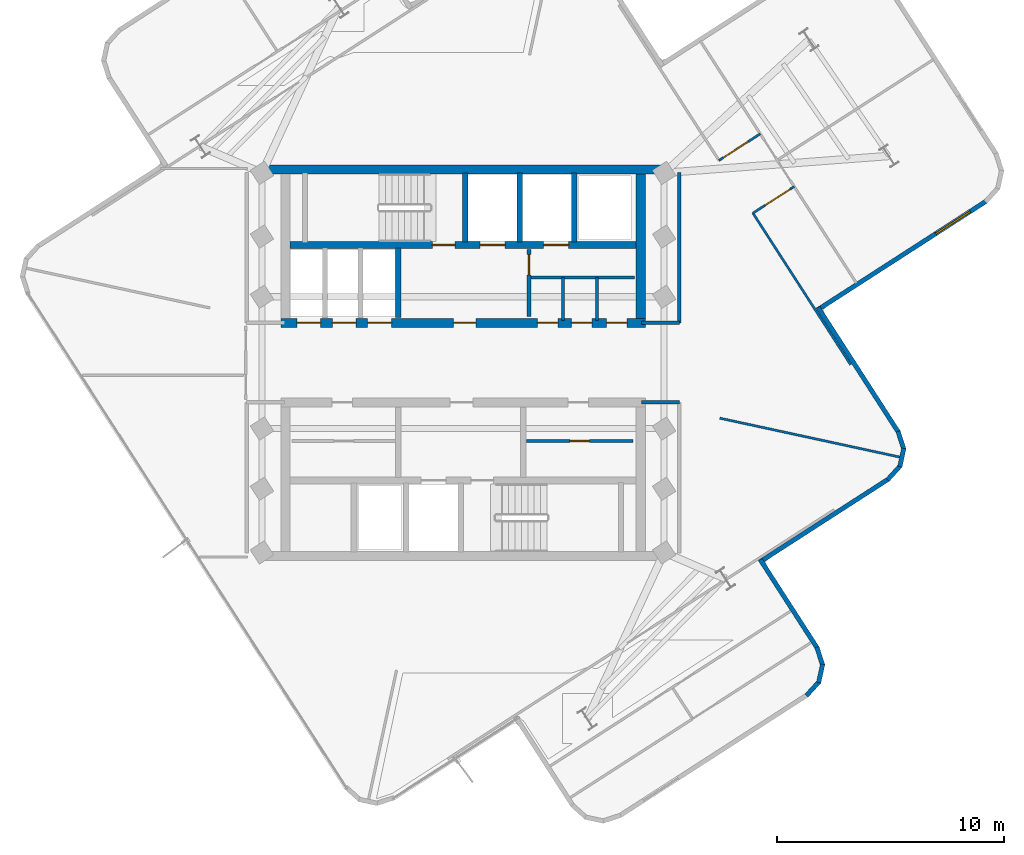
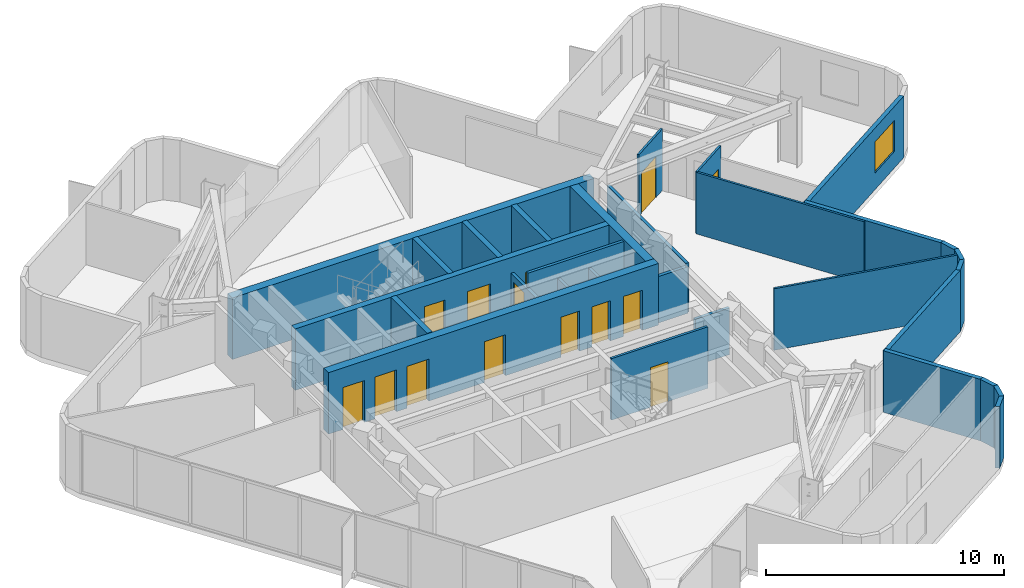
# One storey, part 6 of 9: 30 walls, 14 doors, 1 window, 15 openings.
"""IFC4 building model written with IfcOpenShell, lengths in metres."""

from ifc_helpers import new_model, si_unit, direction, frame, frame_2d, origin, place, context, subcontext, project, spatial, rectangle, extrude, material, layer, layer_set, type_object, element, fill, save


model = new_model("IFC4")

# Units and contexts
model_context = context("Model", 3, precision=1e-05, world=origin(), true_north=direction((0.0, 1.0)))
body_context = subcontext(model_context, "Body", "Model", "MODEL_VIEW")
ifc_project = project(units=[si_unit("LENGTHUNIT", "METRE"), si_unit("AREAUNIT", "SQUARE_METRE"), si_unit("VOLUMEUNIT", "CUBIC_METRE"), si_unit("PLANEANGLEUNIT", "RADIAN"), si_unit("MASSUNIT", "GRAM", prefix="KILO")], contexts=[model_context])

# Site, building, storey
site_placement = place(None, origin())
site = spatial("IfcSite", under=ifc_project, at=site_placement, CompositionType="ELEMENT")
building_placement = place(site_placement, origin())
building = spatial("IfcBuilding", under=site, at=building_placement, Name="Solmarez Civic Tower", CompositionType="ELEMENT")
storey_placement = place(building_placement, frame((0.0, 0.0, 215.4599609375)))
storey = spatial("IfcBuildingStorey", under=building, at=storey_placement, Name="L57", CompositionType="ELEMENT", Elevation=215.4599609375)

# Wall
ifc_material_1 = material(Name="Concrete C50/60", Category="concrete")
ifc_layer_1 = layer(ifc_material_1, 0.39990234375)
ifc_layer_set_1 = layer_set([ifc_layer_1], Name="Concrete C50/60")
wall_type_1 = type_object("IfcWallType", Name="WALL-CORE-400", PredefinedType="SHEAR", material=ifc_layer_set_1)
wall_1_placement = place(storey_placement, frame((-8.780029296875, 8.510009765625, 0.0), z_axis=(0.0, 0.0, 1.0), x_axis=(1.0, 0.0, 0.0)))
element("IfcWall", 1, at=wall_1_placement, inside=storey, type_object=wall_type_1, Name="L57 Split-Core Structural Wall NCW-N-L57", PredefinedType="SHEAR", context=body_context, shape_type="SweptSolid", body=[
    extrude(rectangle(XDim=17.56005859375, YDim=0.39990234375, at=frame_2d((8.780029296875, 0.0))), origin(), (0.0, 0.0, 1.0), 3.16015625),
])

# Wall, openings, doors
wall_2_placement = place(storey_placement, frame((8.02001953125, 1.75, 0.0), z_axis=(0.0, 0.0, 1.0), x_axis=(-1.0, 0.0, 0.0)))
wall_2 = element("IfcWall", 2, at=wall_2_placement, inside=storey, type_object=wall_type_1, Name="L57 Split-Core Structural Wall NCW-S-L57", PredefinedType="SHEAR", context=body_context, shape_type="SweptSolid", body=[
    extrude(rectangle(XDim=16.0400390625, YDim=0.39990234375, at=frame_2d((8.02001953125, 0.0))), origin(), (0.0, 0.0, 1.0), 3.16015625),
])
opening_1_placement = place(wall_2_placement, frame((7.449951171875, 0.0, 0.0)))
opening_1 = element("IfcOpeningElement", 3, at=opening_1_placement, cuts=wall_2, Name="Opening D-04", PredefinedType="OPENING", context=body_context, shape_type="SweptSolid", body=[
    extrude(rectangle(XDim=1.0, YDim=2.10009765625, at=frame_2d((0.5, 1.050048828125))), frame((0.0, 0.2099609375, 0.0), z_axis=(0.0, -1.0, 0.0), x_axis=(1.0, 0.0, 0.0)), (0.0, 0.0, 1.0), 0.419921875),
])
opening_2_placement = place(wall_2_placement, frame((14.284912109375, 0.0, 0.0)))
opening_2 = element("IfcOpeningElement", 4, at=opening_2_placement, cuts=wall_2, Name="Opening LD-01", PredefinedType="OPENING", context=body_context, shape_type="SweptSolid", body=[
    extrude(rectangle(XDim=1.050048828125, YDim=2.14990234375, at=frame_2d((0.52490234375, 1.074951171875))), frame((0.0, 0.2099609375, 0.0), z_axis=(0.0, -1.0, 0.0), x_axis=(1.0, 0.0, 0.0)), (0.0, 0.0, 1.0), 0.419921875),
])
opening_3_placement = place(wall_2_placement, frame((12.72509765625, 0.0, 0.0)))
opening_3 = element("IfcOpeningElement", 5, at=opening_3_placement, cuts=wall_2, Name="Opening LD-01", PredefinedType="OPENING", context=body_context, shape_type="SweptSolid", body=[
    extrude(rectangle(XDim=1.050048828125, YDim=2.14990234375, at=frame_2d((0.52490234375, 1.074951171875))), frame((0.0, 0.2099609375, 0.0), z_axis=(0.0, -1.0, 0.0), x_axis=(1.0, 0.0, 0.0)), (0.0, 0.0, 1.0), 0.419921875),
])
opening_4_placement = place(wall_2_placement, frame((11.1650390625, 0.0, 0.0)))
opening_4 = element("IfcOpeningElement", 6, at=opening_4_placement, cuts=wall_2, Name="Opening LD-01", PredefinedType="OPENING", context=body_context, shape_type="SweptSolid", body=[
    extrude(rectangle(XDim=1.050048828125, YDim=2.14990234375, at=frame_2d((0.52490234375, 1.074951171875))), frame((0.0, 0.2099609375, 0.0), z_axis=(0.0, -1.0, 0.0), x_axis=(1.0, 0.0, 0.0)), (0.0, 0.0, 1.0), 0.419921875),
])
opening_5_placement = place(wall_2_placement, frame((3.85009765625, 0.0, 0.0)))
opening_5 = element("IfcOpeningElement", 7, at=opening_5_placement, cuts=wall_2, Name="Opening D-09", PredefinedType="OPENING", context=body_context, shape_type="SweptSolid", body=[
    extrude(rectangle(XDim=0.89990234375, YDim=2.06005859375, at=frame_2d((0.449951171875, 1.030029296875))), frame((0.0, 0.2099609375, 0.0), z_axis=(0.0, -1.0, 0.0), x_axis=(1.0, 0.0, 0.0)), (0.0, 0.0, 1.0), 0.419921875),
])
opening_6_placement = place(wall_2_placement, frame((2.35009765625, 0.0, 0.0)))
opening_6 = element("IfcOpeningElement", 8, at=opening_6_placement, cuts=wall_2, Name="Opening D-09", PredefinedType="OPENING", context=body_context, shape_type="SweptSolid", body=[
    extrude(rectangle(XDim=0.89990234375, YDim=2.06005859375, at=frame_2d((0.449951171875, 1.030029296875))), frame((0.0, 0.2099609375, 0.0), z_axis=(0.0, -1.0, 0.0), x_axis=(1.0, 0.0, 0.0)), (0.0, 0.0, 1.0), 0.419921875),
])
opening_7_placement = place(wall_2_placement, frame((0.800048828125, 0.0, 0.0)))
opening_7 = element("IfcOpeningElement", 9, at=opening_7_placement, cuts=wall_2, Name="Opening D-09", PredefinedType="OPENING", context=body_context, shape_type="SweptSolid", body=[
    extrude(rectangle(XDim=0.89990234375, YDim=2.06005859375, at=frame_2d((0.449951171875, 1.030029296875))), frame((0.0, 0.2099609375, 0.0), z_axis=(0.0, -1.0, 0.0), x_axis=(1.0, 0.0, 0.0)), (0.0, 0.0, 1.0), 0.419921875),
])
ifc_material_2 = material(Name="Steel-Faced Acoustic Fire Door", Category="steel")
door_type_1 = type_object("IfcDoorType", Name="DOOR-FD60-1000", OperationType="NOTDEFINED", PredefinedType="DOOR", material=ifc_material_2)
door_1_placement = place(opening_1_placement, origin())
door_1 = element("IfcDoor", 10, at=door_1_placement, inside=storey, type_object=door_type_1, Name="L57 North Firefighting Lobby Door", OperationType="SINGLE_SWING_RIGHT", OverallHeight=2.10009765625, OverallWidth=1.0, PredefinedType="DOOR", context=body_context, shape_type="SweptSolid", body=[
    extrude(rectangle(XDim=1.0, YDim=2.10009765625, at=frame_2d((0.5, 1.050048828125))), frame((0.0, 0.02490234375, 0.0), z_axis=(0.0, -1.0, 0.0), x_axis=(1.0, 0.0, 0.0)), (0.0, 0.0, 1.0), 0.050048828125),
])
fill(opening_1, door_1)
ifc_material_3 = material(Name="Fire-Rated Service Core Door", Category="wood")
door_type_2 = type_object("IfcDoorType", Name="DOOR-FD60-900", OperationType="NOTDEFINED", PredefinedType="DOOR", material=ifc_material_3)
door_2_placement = place(opening_5_placement, origin())
door_2 = element("IfcDoor", 11, at=door_2_placement, inside=storey, type_object=door_type_2, Name="L57 Core WC Door", OperationType="SINGLE_SWING_RIGHT", OverallHeight=2.06005859375, OverallWidth=0.89990234375, PredefinedType="DOOR", context=body_context, shape_type="SweptSolid", body=[
    extrude(rectangle(XDim=0.89990234375, YDim=2.06005859375, at=frame_2d((0.449951171875, 1.030029296875))), frame((0.0, 0.02490234375, 0.0), z_axis=(0.0, -1.0, 0.0), x_axis=(1.0, 0.0, 0.0)), (0.0, 0.0, 1.0), 0.050048828125),
])
fill(opening_5, door_2)
door_3_placement = place(opening_6_placement, origin())
door_3 = element("IfcDoor", 12, at=door_3_placement, inside=storey, type_object=door_type_2, Name="L57 Core CL Door", OperationType="SINGLE_SWING_LEFT", OverallHeight=2.06005859375, OverallWidth=0.89990234375, PredefinedType="DOOR", context=body_context, shape_type="SweptSolid", body=[
    extrude(rectangle(XDim=0.89990234375, YDim=2.06005859375, at=frame_2d((0.449951171875, 1.030029296875))), frame((0.0, 0.02490234375, 0.0), z_axis=(0.0, -1.0, 0.0), x_axis=(1.0, 0.0, 0.0)), (0.0, 0.0, 1.0), 0.050048828125),
])
fill(opening_6, door_3)
door_4_placement = place(opening_7_placement, origin())
door_4 = element("IfcDoor", 13, at=door_4_placement, inside=storey, type_object=door_type_2, Name="L57 Core IT Door", OperationType="SINGLE_SWING_LEFT", OverallHeight=2.06005859375, OverallWidth=0.89990234375, PredefinedType="DOOR", context=body_context, shape_type="SweptSolid", body=[
    extrude(rectangle(XDim=0.89990234375, YDim=2.06005859375, at=frame_2d((0.449951171875, 1.030029296875))), frame((0.0, 0.02490234375, 0.0), z_axis=(0.0, -1.0, 0.0), x_axis=(1.0, 0.0, 0.0)), (0.0, 0.0, 1.0), 0.050048828125),
])
fill(opening_7, door_4)
ifc_material_4 = material(Name="Bronze Passenger Lift Landing Sliding Door", Category="aluminium")
door_type_3 = type_object("IfcDoorType", Name="DOOR-LD-PAX-1050", OperationType="DOUBLE_DOOR_SLIDING", PredefinedType="DOOR", material=ifc_material_4)
door_5_placement = place(opening_2_placement, origin())
door_5 = element("IfcDoor", 14, at=door_5_placement, inside=storey, type_object=door_type_3, Name="L57 High-Rise Lift Landing Door PL-H1", OperationType="DOUBLE_DOOR_SLIDING", OverallHeight=2.14990234375, OverallWidth=1.050048828125, PredefinedType="DOOR", context=body_context, shape_type="SweptSolid", body=[
    extrude(rectangle(XDim=1.050048828125, YDim=2.14990234375, at=frame_2d((0.52490234375, 1.074951171875))), frame((0.0, 0.02490234375, 0.0), z_axis=(0.0, -1.0, 0.0), x_axis=(1.0, 0.0, 0.0)), (0.0, 0.0, 1.0), 0.050048828125),
])
fill(opening_2, door_5)
door_6_placement = place(opening_3_placement, origin())
door_6 = element("IfcDoor", 15, at=door_6_placement, inside=storey, type_object=door_type_3, Name="L57 High-Rise Lift Landing Door PL-H2", OperationType="DOUBLE_DOOR_SLIDING", OverallHeight=2.14990234375, OverallWidth=1.050048828125, PredefinedType="DOOR", context=body_context, shape_type="SweptSolid", body=[
    extrude(rectangle(XDim=1.050048828125, YDim=2.14990234375, at=frame_2d((0.52490234375, 1.074951171875))), frame((0.0, 0.02490234375, 0.0), z_axis=(0.0, -1.0, 0.0), x_axis=(1.0, 0.0, 0.0)), (0.0, 0.0, 1.0), 0.050048828125),
])
fill(opening_3, door_6)
door_7_placement = place(opening_4_placement, origin())
door_7 = element("IfcDoor", 16, at=door_7_placement, inside=storey, type_object=door_type_3, Name="L57 High-Rise Lift Landing Door PL-H3", OperationType="DOUBLE_DOOR_SLIDING", OverallHeight=2.14990234375, OverallWidth=1.050048828125, PredefinedType="DOOR", context=body_context, shape_type="SweptSolid", body=[
    extrude(rectangle(XDim=1.050048828125, YDim=2.14990234375, at=frame_2d((0.52490234375, 1.074951171875))), frame((0.0, 0.02490234375, 0.0), z_axis=(0.0, -1.0, 0.0), x_axis=(1.0, 0.0, 0.0)), (0.0, 0.0, 1.0), 0.050048828125),
])
fill(opening_4, door_7)

# Wall
wall_3_placement = place(storey_placement, frame((7.820068359375, 8.31005859375, 0.0), z_axis=(0.0, 0.0, 1.0), x_axis=(0.0, -1.0, 0.0)))
element("IfcWall", 17, at=wall_3_placement, inside=storey, type_object=wall_type_1, Name="L57 Split-Core Structural Wall NCW-E-L57", PredefinedType="SHEAR", context=body_context, shape_type="SweptSolid", body=[
    extrude(rectangle(XDim=6.360107421875, YDim=0.39990234375, at=frame_2d((3.18017578125, 0.0))), origin(), (0.0, 0.0, 1.0), 3.16015625),
])

# Wall, opening, window
ifc_material_5 = material(Name="Precast concrete C40/50", Category="concrete")
ifc_layer_2 = layer(ifc_material_5, 0.199951171875)
ifc_layer_set_2 = layer_set([ifc_layer_2], Name="Precast concrete C40/50")
wall_type_2 = type_object("IfcWallType", Name="WALL-EXT-200", PredefinedType="SOLIDWALL", material=ifc_layer_set_2)
wall_4_placement = place(storey_placement, frame((23.031982421875, 7.111083984375, 0.0), z_axis=(0.0, 0.0, 1.0), x_axis=(-0.840540020681, -0.541749456515, 0.0)))
wall_4 = element("IfcWall", 18, at=wall_4_placement, inside=storey, type_object=wall_type_2, Name="L57 Exterior Precast Wall 39", PredefinedType="SOLIDWALL", context=body_context, shape_type="SweptSolid", body=[
    extrude(rectangle(XDim=8.841796875, YDim=0.199951171875, at=frame_2d((4.4208984375, 0.0))), origin(), (0.0, 0.0, 1.0), 3.16015625),
])
opening_8_placement = place(wall_4_placement, frame((0.85009765625, 0.0, 0.85009765625)))
opening_8 = element("IfcOpeningElement", 19, at=opening_8_placement, cuts=wall_4, Name="Opening W-12", PredefinedType="OPENING", context=body_context, shape_type="SweptSolid", body=[
    extrude(rectangle(XDim=1.800048828125, YDim=1.60009765625, at=frame_2d((0.89990234375, 0.800048828125))), frame((0.0, 0.10986328125, 0.0), z_axis=(0.0, -1.0, 0.0), x_axis=(1.0, 0.0, 0.0)), (0.0, 0.0, 1.0), 0.219970703125),
])
ifc_material_6 = material(Name="Solar Control Bronze-Tinted Insulating Glass", Category="glass")
window_type = type_object("IfcWindowType", Name="WIN-1800X1600", PartitioningType="SINGLE_PANEL", PredefinedType="WINDOW", material=ifc_material_6)
window_placement = place(opening_8_placement, origin())
window = element("IfcWindow", 20, at=window_placement, inside=storey, type_object=window_type, Name="L57 Exterior Facade Window 39", OverallHeight=1.60009765625, OverallWidth=1.800048828125, PartitioningType="SINGLE_PANEL", PredefinedType="WINDOW", context=body_context, shape_type="SweptSolid", body=[
    extrude(rectangle(XDim=1.800048828125, YDim=1.60009765625, at=frame_2d((0.89990234375, 0.800048828125))), frame((0.0, 0.030029296875, 0.0), z_axis=(0.0, -1.0, 0.0), x_axis=(1.0, 0.0, 0.0)), (0.0, 0.0, 1.0), 0.06005859375),
])
fill(opening_8, window)

# Walls
wall_5_placement = place(storey_placement, frame((15.6240234375, 2.430908203125, 0.0), z_axis=(0.0, 0.0, 1.0), x_axis=(0.541715396451, -0.840561972283, 0.0)))
element("IfcWall", 21, at=wall_5_placement, inside=storey, type_object=wall_type_2, Name="L57 Exterior Precast Wall 42", PredefinedType="SOLIDWALL", context=body_context, shape_type="SweptSolid", body=[
    extrude(rectangle(XDim=6.5419921875, YDim=0.199951171875, at=frame_2d((3.27099609375, 0.0))), origin(), (0.0, 0.0, 1.0), 3.16015625),
])
wall_6_placement = place(storey_placement, frame((19.14599609375, -3.02294921875, 0.0), z_axis=(0.0, 0.0, 1.0), x_axis=(0.306602907463, -0.951837516142, 0.0)))
element("IfcWall", 22, at=wall_6_placement, inside=storey, type_object=wall_type_2, Name="L57 Exterior Precast Wall 43", PredefinedType="SOLIDWALL", context=body_context, shape_type="SweptSolid", body=[
    extrude(rectangle(XDim=0.83837890625, YDim=0.199951171875, at=frame_2d((0.419189453125, 0.0))), origin(), (0.0, 0.0, 1.0), 3.16015625),
])
wall_7_placement = place(storey_placement, frame((19.39990234375, -3.77294921875, 0.0), z_axis=(0.0, 0.0, 1.0), x_axis=(-0.211087829535, -0.977467098281, 0.0)))
element("IfcWall", 23, at=wall_7_placement, inside=storey, type_object=wall_type_2, Name="L57 Exterior Precast Wall 44", PredefinedType="SOLIDWALL", context=body_context, shape_type="SweptSolid", body=[
    extrude(rectangle(XDim=0.823486328125, YDim=0.199951171875, at=frame_2d((0.41162109375, 0.0))), origin(), (0.0, 0.0, 1.0), 3.16015625),
])
wall_8_placement = place(storey_placement, frame((19.248046875, -4.534912109375, 0.0), z_axis=(0.0, 0.0, 1.0), x_axis=(-0.671019988703, -0.741439258983, 0.0)))
element("IfcWall", 24, at=wall_8_placement, inside=storey, type_object=wall_type_2, Name="L57 Exterior Precast Wall 45", PredefinedType="SOLIDWALL", context=body_context, shape_type="SweptSolid", body=[
    extrude(rectangle(XDim=0.839111328125, YDim=0.199951171875, at=frame_2d((0.41943359375, 0.0))), origin(), (0.0, 0.0, 1.0), 3.16015625),
])
wall_9_placement = place(storey_placement, frame((18.722900390625, -5.1240234375, 0.0), z_axis=(0.0, 0.0, 1.0), x_axis=(-0.840584959151, -0.541679726821, 0.0)))
element("IfcWall", 25, at=wall_9_placement, inside=storey, type_object=wall_type_2, Name="L57 Exterior Precast Wall 46", PredefinedType="SOLIDWALL", context=body_context, shape_type="SweptSolid", body=[
    extrude(rectangle(XDim=6.74169921875, YDim=0.199951171875, at=frame_2d((3.370849609375, 0.0))), origin(), (0.0, 0.0, 1.0), 3.16015625),
])
wall_10_placement = place(storey_placement, frame((13.080078125, -8.666015625, 0.0), z_axis=(0.0, 0.0, 1.0), x_axis=(0.541732711374, -0.840550813114, 0.0)))
element("IfcWall", 26, at=wall_10_placement, inside=storey, type_object=wall_type_2, Name="L57 Exterior Precast Wall 49", PredefinedType="SOLIDWALL", context=body_context, shape_type="SweptSolid", body=[
    extrude(rectangle(XDim=4.642333984375, YDim=0.199951171875, at=frame_2d((2.3212890625, 0.0))), origin(), (0.0, 0.0, 1.0), 3.16015625),
])
wall_11_placement = place(storey_placement, frame((15.572998046875, -12.52294921875, 0.0), z_axis=(0.0, 0.0, 1.0), x_axis=(0.306602907463, -0.951837516142, 0.0)))
element("IfcWall", 27, at=wall_11_placement, inside=storey, type_object=wall_type_2, Name="L57 Exterior Precast Wall 50", PredefinedType="SOLIDWALL", context=body_context, shape_type="SweptSolid", body=[
    extrude(rectangle(XDim=0.83837890625, YDim=0.199951171875, at=frame_2d((0.419189453125, 0.0))), origin(), (0.0, 0.0, 1.0), 3.16015625),
])
wall_12_placement = place(storey_placement, frame((15.826904296875, -13.27294921875, 0.0), z_axis=(0.0, 0.0, 1.0), x_axis=(-0.210782404691, -0.977533006027, 0.0)))
element("IfcWall", 28, at=wall_12_placement, inside=storey, type_object=wall_type_2, Name="L57 Exterior Precast Wall 51", PredefinedType="SOLIDWALL", context=body_context, shape_type="SweptSolid", body=[
    extrude(rectangle(XDim=0.82470703125, YDim=0.199951171875, at=frame_2d((0.412353515625, 0.0))), origin(), (0.0, 0.0, 1.0), 3.16015625),
])
wall_13_placement = place(storey_placement, frame((15.675048828125, -14.035888671875, 0.0), z_axis=(0.0, 0.0, 1.0), x_axis=(-0.671019988703, -0.741439258983, 0.0)))
element("IfcWall", 29, at=wall_13_placement, inside=storey, type_object=wall_type_2, Name="L57 Exterior Precast Wall 52", PredefinedType="SOLIDWALL", context=body_context, shape_type="SweptSolid", body=[
    extrude(rectangle(XDim=0.839111328125, YDim=0.199951171875, at=frame_2d((0.41943359375, 0.0))), origin(), (0.0, 0.0, 1.0), 3.16015625),
])
ifc_material_7 = material(Name="Gypsum Board Acoustic Steel-Stud Partition", Category="steel")
ifc_layer_3 = layer(ifc_material_7, 0.14990234375)
ifc_layer_set_3 = layer_set([ifc_layer_3], Name="Gypsum Board Acoustic Steel-Stud Partition")
wall_type_3 = type_object("IfcWallType", Name="WALL-INT-FIRE-150", PredefinedType="PARTITIONING", material=ifc_layer_set_3)
wall_14_placement = place(storey_placement, frame((9.52001953125, 1.75, 0.0), z_axis=(0.0, 0.0, 1.0), x_axis=(0.0, 1.0, 0.0)))
element("IfcWall", 30, at=wall_14_placement, inside=storey, type_object=wall_type_3, Name="L57 Interior Partition CHW-L57-EN1", PredefinedType="PARTITIONING", context=body_context, shape_type="SweptSolid", body=[
    extrude(rectangle(XDim=6.6298828125, YDim=0.14990234375, at=frame_2d((3.31494140625, 0.0))), origin(), (0.0, 0.0, 1.0), 2.530029296875),
])
for number, where, z_axis, x_axis, name in (
    (31, (7.85009765625, 1.75, 0.0), (0.0, 0.0, 1.0), (1.0, 0.0, 0.0), "L57 Interior Partition CHW-L57-EN3"),
    (32, (7.85009765625, -1.75, 0.0), (0.0, 0.0, 1.0), (1.0, 0.0, 0.0), "L57 Interior Partition CHW-L57-ES3"),
):
    element("IfcWall", number, at=place(storey_placement, frame(where, z_axis=z_axis, x_axis=x_axis)), inside=storey, type_object=wall_type_3, Name=name, PredefinedType="PARTITIONING", context=body_context, shape_type="SweptSolid", body=[
        extrude(rectangle(XDim=1.669921875, YDim=0.14990234375, at=frame_2d((0.8349609375, 0.0))), origin(), (0.0, 0.0, 1.0), 2.39013671875),
    ])
ifc_layer_4 = layer(ifc_material_7, 0.10009765625)
ifc_layer_set_4 = layer_set([ifc_layer_4], Name="Gypsum Board Acoustic Steel-Stud Partition")
wall_type_4 = type_object("IfcWallType", Name="WALL-INT-PART-100", PredefinedType="PARTITIONING", material=ifc_layer_set_4)
wall_15_placement = place(storey_placement, frame((11.300048828125, -2.443115234375, 0.0), z_axis=(0.0, 0.0, 1.0), x_axis=(0.977411986974, -0.211342867681, 0.0)))
element("IfcWall", 33, at=wall_15_placement, inside=storey, type_object=wall_type_4, Name="L57 Interior Partition PT-L57-QDIV-4", PredefinedType="PARTITIONING", context=body_context, shape_type="SweptSolid", body=[
    extrude(rectangle(XDim=8.1337890625, YDim=0.10009765625, at=frame_2d((4.06689453125, 0.0))), origin(), (0.0, 0.0, 1.0), 3.16015625),
])
wall_16_placement = place(storey_placement, frame((17.06005859375, -0.093017578125, 0.0), z_axis=(0.0, 0.0, 1.0), x_axis=(-0.541691689426, 0.840577250232, 0.0)))
element("IfcWall", 34, at=wall_16_placement, inside=storey, type_object=wall_type_4, Name="L57 Interior Partition PT-L57-E-EFR", PredefinedType="PARTITIONING", context=body_context, shape_type="SweptSolid", body=[
    extrude(rectangle(XDim=7.949462890625, YDim=0.10009765625, at=frame_2d((3.974609375, 0.0))), origin(), (0.0, 0.0, 1.0), 3.16015625),
])

# Wall, opening, door
wall_17_placement = place(storey_placement, frame((13.080078125, 10.071044921875, 0.0), z_axis=(0.0, 0.0, 1.0), x_axis=(-0.840623628822, -0.541619714067, 0.0)))
wall_17 = element("IfcWall", 35, at=wall_17_placement, inside=storey, type_object=wall_type_4, Name="L57 Interior Partition PT-L57-E-SL", PredefinedType="PARTITIONING", context=body_context, shape_type="SweptSolid", body=[
    extrude(rectangle(XDim=2.160400390625, YDim=0.10009765625, at=frame_2d((1.080078125, 0.0))), origin(), (0.0, 0.0, 1.0), 3.16015625),
])
opening_9_placement = place(wall_17_placement, frame((0.6298828125, 0.0, 0.0)))
opening_9 = element("IfcOpeningElement", 36, at=opening_9_placement, cuts=wall_17, Name="Opening D-15", PredefinedType="OPENING", context=body_context, shape_type="SweptSolid", body=[
    extrude(rectangle(XDim=1.300048828125, YDim=2.10009765625, at=frame_2d((0.64990234375, 1.050048828125))), frame((0.0, 0.06005859375, 0.0), z_axis=(0.0, -1.0, 0.0), x_axis=(1.0, 0.0, 0.0)), (0.0, 0.0, 1.0), 0.1201171875),
])
ifc_material_8 = material(Name="Tribunal Hearing Conference Door", Category="wood")
door_type_4 = type_object("IfcDoorType", Name="DOOR-INT-1300", OperationType="NOTDEFINED", PredefinedType="DOOR", material=ifc_material_8)
door_8_placement = place(opening_9_placement, origin())
door_8 = element("IfcDoor", 37, at=door_8_placement, inside=storey, type_object=door_type_4, Name="L57 Legislative Seminar Room East Door", OperationType="SINGLE_SWING_LEFT", OverallHeight=2.10009765625, OverallWidth=1.300048828125, PredefinedType="DOOR", context=body_context, shape_type="SweptSolid", body=[
    extrude(rectangle(XDim=1.300048828125, YDim=2.10009765625, at=frame_2d((0.64990234375, 1.050048828125))), frame((0.0, 0.02490234375, 0.0), z_axis=(0.0, -1.0, 0.0), x_axis=(1.0, 0.0, 0.0)), (0.0, 0.0, 1.0), 0.050048828125),
])
fill(opening_9, door_8)

wall_18_placement = place(storey_placement, frame((12.759033203125, 6.5810546875, 0.0), z_axis=(0.0, 0.0, 1.0), x_axis=(0.840641931508, 0.541591306236, 0.0)))
wall_18 = element("IfcWall", 38, at=wall_18_placement, inside=storey, type_object=wall_type_4, Name="L57 Interior Partition PT-L57-E-SR", PredefinedType="PARTITIONING", context=body_context, shape_type="SweptSolid", body=[
    extrude(rectangle(XDim=2.16015625, YDim=0.10009765625, at=frame_2d((1.080078125, 0.0))), origin(), (0.0, 0.0, 1.0), 3.16015625),
])
opening_10_placement = place(wall_18_placement, frame((0.6298828125, 0.0, 0.0)))
opening_10 = element("IfcOpeningElement", 39, at=opening_10_placement, cuts=wall_18, Name="Opening D-15", PredefinedType="OPENING", context=body_context, shape_type="SweptSolid", body=[
    extrude(rectangle(XDim=1.300048828125, YDim=2.10009765625, at=frame_2d((0.64990234375, 1.050048828125))), frame((0.0, 0.06005859375, 0.0), z_axis=(0.0, -1.0, 0.0), x_axis=(1.0, 0.0, 0.0)), (0.0, 0.0, 1.0), 0.1201171875),
])
door_9_placement = place(opening_10_placement, origin())
door_9 = element("IfcDoor", 40, at=door_9_placement, inside=storey, type_object=door_type_4, Name="L57 Civic Training Classroom East Door", OperationType="SINGLE_SWING_RIGHT", OverallHeight=2.10009765625, OverallWidth=1.300048828125, PredefinedType="DOOR", context=body_context, shape_type="SweptSolid", body=[
    extrude(rectangle(XDim=1.300048828125, YDim=2.10009765625, at=frame_2d((0.64990234375, 1.050048828125))), frame((0.0, 0.02490234375, 0.0), z_axis=(0.0, -1.0, 0.0), x_axis=(1.0, 0.0, 0.0)), (0.0, 0.0, 1.0), 0.050048828125),
])
fill(opening_10, door_9)

ifc_layer_5 = layer(ifc_material_7, 0.1201171875)
ifc_layer_set_5 = layer_set([ifc_layer_5], Name="Gypsum Board Acoustic Steel-Stud Partition")
wall_type_5 = type_object("IfcWallType", Name="WALL-INT-PART-120", PredefinedType="PARTITIONING", material=ifc_layer_set_5)
wall_19_placement = place(storey_placement, frame((2.800048828125, -3.449951171875, 0.0), z_axis=(0.0, 0.0, 1.0), x_axis=(1.0, 0.0, 0.0)))
wall_19 = element("IfcWall", 41, at=wall_19_placement, inside=storey, type_object=wall_type_5, Name="L57 Interior Partition PT-FPLL-L57", PredefinedType="PARTITIONING", context=body_context, shape_type="SweptSolid", body=[
    extrude(rectangle(XDim=4.679931640625, YDim=0.1201171875, at=frame_2d((2.33984375, 0.0))), origin(), (0.0, 0.0, 1.0), 3.16015625),
])
opening_11_placement = place(wall_19_placement, frame((1.89990234375, 0.0, 0.0)))
opening_11 = element("IfcOpeningElement", 42, at=opening_11_placement, cuts=wall_19, Name="Opening D-14", PredefinedType="OPENING", context=body_context, shape_type="SweptSolid", body=[
    extrude(rectangle(XDim=0.860107421875, YDim=2.0400390625, at=frame_2d((0.43017578125, 1.02001953125))), frame((0.0, 0.070068359375, 0.0), z_axis=(0.0, -1.0, 0.0), x_axis=(1.0, 0.0, 0.0)), (0.0, 0.0, 1.0), 0.14013671875),
])
ifc_material_9 = material(Name="Timber Storage and Pantry Door", Category="wood")
door_type_5 = type_object("IfcDoorType", Name="DOOR-INT-850", OperationType="NOTDEFINED", PredefinedType="DOOR", material=ifc_material_9)
door_10_placement = place(opening_11_placement, origin())
door_10 = element("IfcDoor", 43, at=door_10_placement, inside=storey, type_object=door_type_5, Name="L57 Records Filing Room Door", OperationType="SINGLE_SWING_LEFT", OverallHeight=2.0400390625, OverallWidth=0.860107421875, PredefinedType="DOOR", context=body_context, shape_type="SweptSolid", body=[
    extrude(rectangle(XDim=0.860107421875, YDim=2.0400390625, at=frame_2d((0.43017578125, 1.02001953125))), frame((0.0, 0.02490234375, 0.0), z_axis=(0.0, -1.0, 0.0), x_axis=(1.0, 0.0, 0.0)), (0.0, 0.0, 1.0), 0.050048828125),
])
fill(opening_11, door_10)

ifc_layer_6 = layer(ifc_material_7, 0.159912109375)
ifc_layer_set_6 = layer_set([ifc_layer_6], Name="Gypsum Board Acoustic Steel-Stud Partition")
wall_type_6 = type_object("IfcWallType", Name="WALL-INT-SHAFT-160", PredefinedType="PARTITIONING", material=ifc_layer_set_6)
wall_20_placement = place(storey_placement, frame((2.89990234375, 2.0400390625, 0.0), z_axis=(0.0, 0.0, 1.0), x_axis=(0.0, 1.0, 0.0)))
wall_20 = element("IfcWall", 44, at=wall_20_placement, inside=storey, type_object=wall_type_6, Name="L57 Interior Partition SHW-NL2-L57", PredefinedType="PARTITIONING", context=body_context, shape_type="SweptSolid", body=[
    extrude(rectangle(XDim=2.93994140625, YDim=0.159912109375, at=frame_2d((1.469970703125, 0.0))), origin(), (0.0, 0.0, 1.0), 2.39013671875),
])
opening_12_placement = place(wall_20_placement, frame((1.820068359375, 0.0, 0.0)))
opening_12 = element("IfcOpeningElement", 45, at=opening_12_placement, cuts=wall_20, Name="Opening D-09", PredefinedType="OPENING", context=body_context, shape_type="SweptSolid", body=[
    extrude(rectangle(XDim=0.89990234375, YDim=2.06005859375, at=frame_2d((0.449951171875, 1.030029296875))), frame((0.0, 0.08984375, 0.0), z_axis=(0.0, -1.0, 0.0), x_axis=(1.0, 0.0, 0.0)), (0.0, 0.0, 1.0), 0.179931640625),
])
door_11_placement = place(opening_12_placement, origin())
door_11 = element("IfcDoor", 46, at=door_11_placement, inside=storey, type_object=door_type_2, Name="L57 Service Lift Lobby Door", OperationType="SINGLE_SWING_LEFT", OverallHeight=2.06005859375, OverallWidth=0.89990234375, PredefinedType="DOOR", context=body_context, shape_type="SweptSolid", body=[
    extrude(rectangle(XDim=0.89990234375, YDim=2.06005859375, at=frame_2d((0.449951171875, 1.030029296875))), frame((0.0, 0.02490234375, 0.0), z_axis=(0.0, -1.0, 0.0), x_axis=(1.0, 0.0, 0.0)), (0.0, 0.0, 1.0), 0.050048828125),
])
fill(opening_12, door_11)

# Walls
ifc_layer_7 = layer(ifc_material_7, 0.137939453125)
ifc_layer_set_7 = layer_set([ifc_layer_7], Name="Gypsum Board Acoustic Steel-Stud Partition")
wall_type_7 = type_object("IfcWallType", Name="WALL-INT-WET-140", PredefinedType="PARTITIONING", material=ifc_layer_set_7)
wall_21_placement = place(storey_placement, frame((2.89990234375, 3.739990234375, 0.0), z_axis=(0.0, 0.0, 1.0), x_axis=(1.0, 0.0, 0.0)))
element("IfcWall", 47, at=wall_21_placement, inside=storey, type_object=wall_type_7, Name="L57 Interior Partition SHW-SVH-L57", PredefinedType="PARTITIONING", context=body_context, shape_type="SweptSolid", body=[
    extrude(rectangle(XDim=4.650146484375, YDim=0.137939453125, at=frame_2d((2.3251953125, 0.0))), origin(), (0.0, 0.0, 1.0), 3.16015625),
])
for number, where, z_axis, x_axis, name in (
    (48, (4.39990234375, 1.85009765625, 0.0), (0.0, 0.0, 1.0), (0.0, 1.0, 0.0), "L57 Interior Partition PT-NCSV1-L57"),
    (49, (5.89990234375, 1.85009765625, 0.0), (0.0, 0.0, 1.0), (0.0, 1.0, 0.0), "L57 Interior Partition PT-NCSV2-L57"),
):
    element("IfcWall", number, at=place(storey_placement, frame(where, z_axis=z_axis, x_axis=x_axis)), inside=storey, type_object=wall_type_7, Name=name, PredefinedType="PARTITIONING", context=body_context, shape_type="SweptSolid", body=[
        extrude(rectangle(XDim=1.889892578125, YDim=0.137939453125, at=frame_2d((0.94482421875, 0.0))), origin(), (0.0, 0.0, 1.0), 2.39013671875),
    ])

# Wall, openings, doors
ifc_layer_8 = layer(ifc_material_1, 0.300048828125)
ifc_layer_set_8 = layer_set([ifc_layer_8], Name="Concrete C50/60")
wall_type_8 = type_object("IfcWallType", Name="WALL-STR-300", PredefinedType="SOLIDWALL", material=ifc_layer_set_8)
wall_22_placement = place(storey_placement, frame((7.6201171875, 5.179931640625, 0.0), z_axis=(0.0, 0.0, 1.0), x_axis=(-1.0, 0.0, 0.0)))
wall_22 = element("IfcWall", 50, at=wall_22_placement, inside=storey, type_object=wall_type_8, Name="L57 Split-Core Structural Wall NCW-M-L57", PredefinedType="SOLIDWALL", context=body_context, shape_type="SweptSolid", body=[
    extrude(rectangle(XDim=15.240234375, YDim=0.300048828125, at=frame_2d((7.6201171875, 0.0))), origin(), (0.0, 0.0, 1.0), 3.16015625),
])
opening_13_placement = place(wall_22_placement, frame((5.77001953125, 0.0, 0.0)))
opening_13 = element("IfcOpeningElement", 51, at=opening_13_placement, cuts=wall_22, Name="Opening LD-02", PredefinedType="OPENING", context=body_context, shape_type="SweptSolid", body=[
    extrude(rectangle(XDim=1.10009765625, YDim=2.14990234375, at=frame_2d((0.550048828125, 1.074951171875))), frame((0.0, 0.159912109375, 0.0), z_axis=(0.0, -1.0, 0.0), x_axis=(1.0, 0.0, 0.0)), (0.0, 0.0, 1.0), 0.320068359375),
])
opening_14_placement = place(wall_22_placement, frame((2.969970703125, 0.0, 0.0)))
opening_14 = element("IfcOpeningElement", 52, at=opening_14_placement, cuts=wall_22, Name="Opening LD-03", PredefinedType="OPENING", context=body_context, shape_type="SweptSolid", body=[
    extrude(rectangle(XDim=1.10009765625, YDim=2.14990234375, at=frame_2d((0.550048828125, 1.074951171875))), frame((0.0, 0.159912109375, 0.0), z_axis=(0.0, -1.0, 0.0), x_axis=(1.0, 0.0, 0.0)), (0.0, 0.0, 1.0), 0.320068359375),
])
opening_15_placement = place(wall_22_placement, frame((7.969970703125, 0.0, 0.0)))
opening_15 = element("IfcOpeningElement", 53, at=opening_15_placement, cuts=wall_22, Name="Opening D-05", PredefinedType="OPENING", context=body_context, shape_type="SweptSolid", body=[
    extrude(rectangle(XDim=1.0, YDim=2.10009765625, at=frame_2d((0.5, 1.050048828125))), frame((0.0, 0.159912109375, 0.0), z_axis=(0.0, -1.0, 0.0), x_axis=(1.0, 0.0, 0.0)), (0.0, 0.0, 1.0), 0.320068359375),
])
ifc_material_10 = material(Name="Fire-Rated Stairwell Exit Door", Category="wood")
door_type_6 = type_object("IfcDoorType", Name="DOOR-FD90-1000", OperationType="NOTDEFINED", PredefinedType="DOOR", material=ifc_material_10)
door_12_placement = place(opening_15_placement, origin())
door_12 = element("IfcDoor", 54, at=door_12_placement, inside=storey, type_object=door_type_6, Name="L57 North Exit Stair Door ST-1", OperationType="SINGLE_SWING_RIGHT", OverallHeight=2.10009765625, OverallWidth=1.0, PredefinedType="DOOR", context=body_context, shape_type="SweptSolid", body=[
    extrude(rectangle(XDim=1.0, YDim=2.10009765625, at=frame_2d((0.5, 1.050048828125))), frame((0.0, 0.02490234375, 0.0), z_axis=(0.0, -1.0, 0.0), x_axis=(1.0, 0.0, 0.0)), (0.0, 0.0, 1.0), 0.050048828125),
])
fill(opening_15, door_12)
ifc_material_11 = material(Name="Stainless Firefighting Lift Landing Sliding Door", Category="aluminium")
door_type_7 = type_object("IfcDoorType", Name="DOOR-LD-FF-1100", OperationType="DOUBLE_DOOR_SLIDING", PredefinedType="DOOR", material=ifc_material_11)
door_13_placement = place(opening_13_placement, origin())
door_13 = element("IfcDoor", 55, at=door_13_placement, inside=storey, type_object=door_type_7, Name="L57 Firefighting Lift Landing Door FFL-1", OperationType="DOUBLE_DOOR_SLIDING", OverallHeight=2.14990234375, OverallWidth=1.10009765625, PredefinedType="DOOR", context=body_context, shape_type="SweptSolid", body=[
    extrude(rectangle(XDim=1.10009765625, YDim=2.14990234375, at=frame_2d((0.550048828125, 1.074951171875))), frame((0.0, 0.02490234375, 0.0), z_axis=(0.0, -1.0, 0.0), x_axis=(1.0, 0.0, 0.0)), (0.0, 0.0, 1.0), 0.050048828125),
])
fill(opening_13, door_13)
ifc_material_12 = material(Name="Stainless Stretcher Lift Landing Sliding Door", Category="aluminium")
door_type_8 = type_object("IfcDoorType", Name="DOOR-LD-SV-1100", OperationType="DOUBLE_DOOR_SLIDING", PredefinedType="DOOR", material=ifc_material_12)
door_14_placement = place(opening_14_placement, origin())
door_14 = element("IfcDoor", 56, at=door_14_placement, inside=storey, type_object=door_type_8, Name="L57 Service Stretcher Lift Landing Door SVL-1", OperationType="DOUBLE_DOOR_SLIDING", OverallHeight=2.14990234375, OverallWidth=1.10009765625, PredefinedType="DOOR", context=body_context, shape_type="SweptSolid", body=[
    extrude(rectangle(XDim=1.10009765625, YDim=2.14990234375, at=frame_2d((0.550048828125, 1.074951171875))), frame((0.0, 0.02490234375, 0.0), z_axis=(0.0, -1.0, 0.0), x_axis=(1.0, 0.0, 0.0)), (0.0, 0.0, 1.0), 0.050048828125),
])
fill(opening_14, door_14)

# Walls
for number, where, z_axis, x_axis, name in (
    (57, (0.10009765625, 5.300048828125, 0.0), (0.0, 0.0, 1.0), (0.0, 1.0, 0.0), "L57 Split-Core Structural Wall SHW-N1-L57"),
    (58, (2.5, 5.300048828125, 0.0), (0.0, 0.0, 1.0), (0.0, 1.0, 0.0), "L57 Split-Core Structural Wall SHW-N2-L57"),
    (59, (4.89990234375, 5.300048828125, 0.0), (0.0, 0.0, 1.0), (0.0, 1.0, 0.0), "L57 Split-Core Structural Wall SHW-N3-L57"),
):
    element("IfcWall", number, at=place(storey_placement, frame(where, z_axis=z_axis, x_axis=x_axis)), inside=storey, type_object=wall_type_8, Name=name, PredefinedType="SOLIDWALL", context=body_context, shape_type="SweptSolid", body=[
        extrude(rectangle(XDim=3.0400390625, YDim=0.25, at=frame_2d((1.52001953125, 0.0))), origin(), (0.0, 0.0, 1.0), 3.16015625),
    ])
wall_23_placement = place(storey_placement, frame((-2.85009765625, 1.97998046875, 0.0), z_axis=(0.0, 0.0, 1.0), x_axis=(0.0, 1.0, 0.0)))
element("IfcWall", 60, at=wall_23_placement, inside=storey, type_object=wall_type_8, Name="L57 Split-Core Structural Wall SHW-NL1-L57", PredefinedType="SOLIDWALL", context=body_context, shape_type="SweptSolid", body=[
    extrude(rectangle(XDim=3.070068359375, YDim=0.25, at=frame_2d((1.53515625, 0.0))), origin(), (0.0, 0.0, 1.0), 3.16015625),
])

save(model, "model.ifc")
